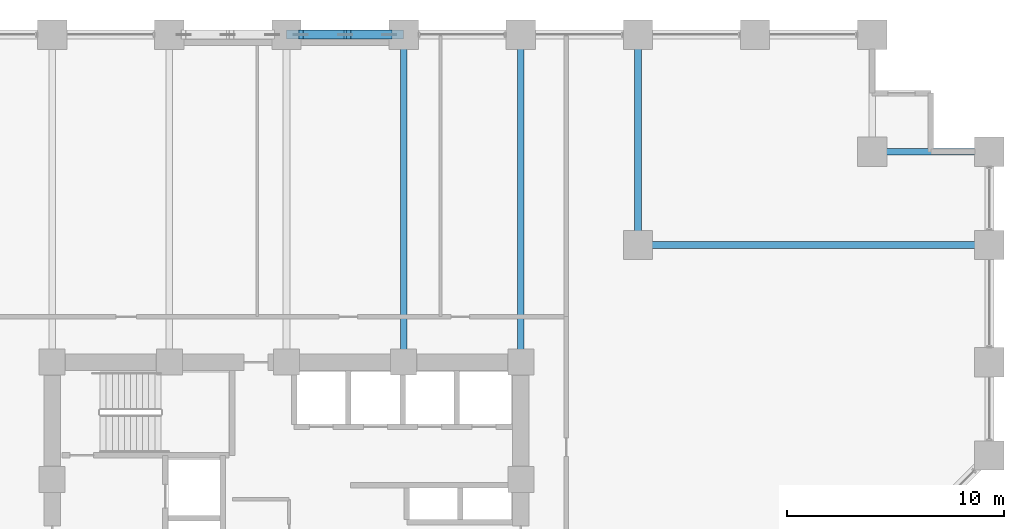
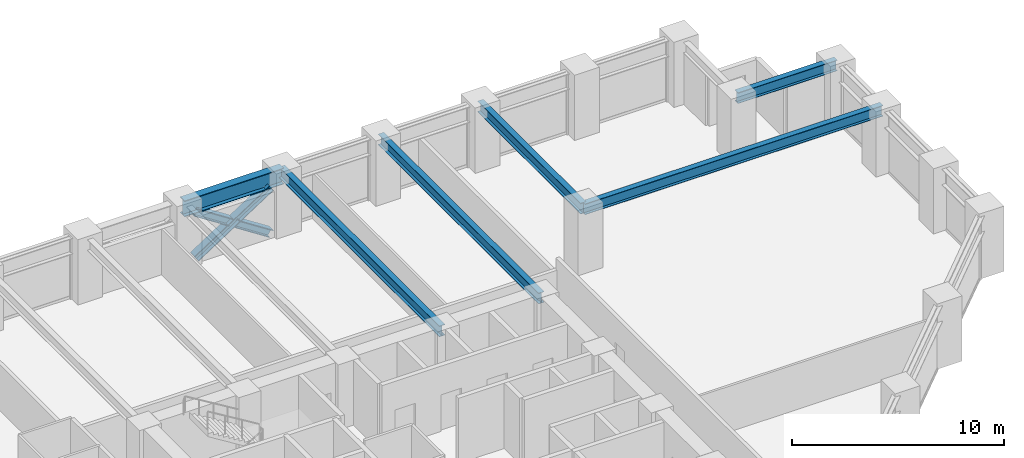
# One storey, part 14 of 25: 6 beams, 3 members.
"""IFC4 building model written with IfcOpenShell, lengths in metres."""

from ifc_helpers import new_model, si_unit, direction, frame, origin, origin_2d, place, context, subcontext, project, spatial, i_section, extrude, material, material_profile, profile_set, type_object, element, save


model = new_model("IFC4")

# Units and contexts
model_context = context("Model", 3, precision=1e-05, world=origin(), true_north=direction((0.0, 1.0)))
body_context = subcontext(model_context, "Body", "Model", "MODEL_VIEW")
ifc_project = project(units=[si_unit("LENGTHUNIT", "METRE"), si_unit("AREAUNIT", "SQUARE_METRE"), si_unit("VOLUMEUNIT", "CUBIC_METRE"), si_unit("PLANEANGLEUNIT", "RADIAN"), si_unit("MASSUNIT", "GRAM", prefix="KILO")], contexts=[model_context])

# Site, building, storey
site_placement = place(None, origin())
site = spatial("IfcSite", under=ifc_project, at=site_placement, CompositionType="ELEMENT")
building_placement = place(site_placement, origin())
building = spatial("IfcBuilding", under=site, at=building_placement, Name="Surkhivell Harbour Commons", CompositionType="ELEMENT")
storey_placement = place(building_placement, frame((0.0, 0.0, 33.75)))
storey = spatial("IfcBuildingStorey", under=building, at=storey_placement, Name="L08", CompositionType="ELEMENT", Elevation=33.75)

# Beams
ifc_material_1 = material(Name="Steel S355", Category="steel")
ifc_material_profile_1 = material_profile(ifc_material_1, i_section(OverallWidth=0.306884765625, OverallDepth=0.6201171875, WebThickness=0.01416015625, FlangeThickness=0.023681640625, at=origin_2d()), Name="UB610x305x179")
ifc_profile_set_1 = profile_set([ifc_material_profile_1], Name="Steel S355")
beam_type_1 = type_object("IfcBeamType", Name="BM-GRD-610A", PredefinedType="BEAM", material=ifc_profile_set_1)
for number, where, z_axis, x_axis, name in (
    (1, (5.39990234375, 10.800048828125, 3.260009765625), (0.0, 1.0, 0.0), (-1.0, 0.0, 0.0), "L08 Floor Girder (5.4,10.8)"),
    (2, (10.800048828125, 10.800048828125, 3.260009765625), (0.0, 1.0, 0.0), (-1.0, 0.0, 0.0), "L08 Floor Girder (10.8,10.8)"),
):
    element("IfcBeam", number, at=place(storey_placement, frame(where, z_axis=z_axis, x_axis=x_axis)), inside=storey, type_object=beam_type_1, Name=name, PredefinedType="BEAM", context=body_context, shape_type="SweptSolid", body=[
        extrude(i_section(OverallWidth=0.306884765625, OverallDepth=0.6201171875, WebThickness=0.01416015625, FlangeThickness=0.023681640625, at=origin_2d()), origin(), (0.0, 0.0, 1.0), 15.099853515625),
    ])
beam_1_placement = place(storey_placement, frame((16.199951171875, 16.199951171875, 3.260009765625), z_axis=(0.0, 1.0, 0.0), x_axis=(-1.0, 0.0, 0.0)))
element("IfcBeam", 3, at=beam_1_placement, inside=storey, type_object=beam_type_1, Name="L08 Floor Girder (16.2,16.2)", PredefinedType="BEAM", context=body_context, shape_type="SweptSolid", body=[
    extrude(i_section(OverallWidth=0.306884765625, OverallDepth=0.6201171875, WebThickness=0.01416015625, FlangeThickness=0.023681640625, at=origin_2d()), origin(), (0.0, 0.0, 1.0), 9.699951171875),
])
beam_2_placement = place(storey_placement, frame((16.199951171875, 16.199951171875, 3.260009765625), z_axis=(1.0, 0.0, 0.0), x_axis=(0.0, 1.0, 0.0)))
element("IfcBeam", 4, at=beam_2_placement, inside=storey, type_object=beam_type_1, Name="L08 Floor Girder (16.2,16.2)", PredefinedType="BEAM", context=body_context, shape_type="SweptSolid", body=[
    extrude(i_section(OverallWidth=0.306884765625, OverallDepth=0.6201171875, WebThickness=0.01416015625, FlangeThickness=0.023681640625, at=origin_2d()), origin(), (0.0, 0.0, 1.0), 16.199951171875),
])
beam_3_placement = place(storey_placement, frame((27.0, 20.5, 3.260009765625), z_axis=(1.0, 0.0, 0.0), x_axis=(0.0, 1.0, 0.0)))
element("IfcBeam", 5, at=beam_3_placement, inside=storey, type_object=beam_type_1, Name="L08 Floor Girder (27.0,20.5)", PredefinedType="BEAM", context=body_context, shape_type="SweptSolid", body=[
    extrude(i_section(OverallWidth=0.306884765625, OverallDepth=0.6201171875, WebThickness=0.01416015625, FlangeThickness=0.023681640625, at=origin_2d()), origin(), (0.0, 0.0, 1.0), 5.39990234375),
])
ifc_material_2 = material(Name="Steel S460", Category="steel")
ifc_material_profile_2 = material_profile(ifc_material_2, i_section(OverallWidth=0.419921875, OverallDepth=0.9208984375, WebThickness=0.021484375, FlangeThickness=0.03662109375, at=origin_2d()), Name="UB914x419x388")
ifc_profile_set_2 = profile_set([ifc_material_profile_2], Name="Steel S460")
beam_type_2 = type_object("IfcBeamType", Name="BM-SPN-914A", PredefinedType="SPANDREL", material=ifc_profile_set_2)
beam_4_placement = place(storey_placement, frame((0.0, 25.89990234375, 3.109619140625), z_axis=(1.0, 0.0, 0.0), x_axis=(0.0, 1.0, 0.0)))
element("IfcBeam", 6, at=beam_4_placement, inside=storey, type_object=beam_type_2, Name="L08 Tube Spandrel (-0.0,25.9)", PredefinedType="SPANDREL", context=body_context, shape_type="SweptSolid", body=[
    extrude(i_section(OverallWidth=0.419921875, OverallDepth=0.9208984375, WebThickness=0.021484375, FlangeThickness=0.03662109375, at=origin_2d()), origin(), (0.0, 0.0, 1.0), 5.39990234375),
])

# Members
ifc_material_profile_3 = material_profile(ifc_material_2, i_section(OverallWidth=0.406005859375, OverallDepth=0.416015625, WebThickness=0.026611328125, FlangeThickness=0.0390625, at=origin_2d()), Name="HD400x382")
ifc_profile_set_3 = profile_set([ifc_material_profile_3], Name="Steel S460")
member_type = type_object("IfcMemberType", Name="MEM-BRC-HD382", PredefinedType="BRACE", material=ifc_profile_set_3)
member_1_placement = place(storey_placement, frame((0.659912109375, 25.89990234375, 0.008056640625), z_axis=(0.83910375559, 0.0, 0.543971403067), x_axis=(0.0, 1.0, 0.0)))
element("IfcMember", 7, at=member_1_placement, inside=storey, type_object=member_type, Name="L08 Perimeter Mega-Brace MB- 04", PredefinedType="BRACE", context=body_context, shape_type="SweptSolid", body=[
    extrude(i_section(OverallWidth=0.406005859375, OverallDepth=0.416015625, WebThickness=0.026611328125, FlangeThickness=0.0390625, at=origin_2d()), origin(), (0.0, 0.0, 1.0), 4.8623046875),
])
member_2_placement = place(storey_placement, frame((4.739990234375, 25.89990234375, 0.008056640625), z_axis=(-0.83908547242, 0.0, 0.543999604756), x_axis=(0.0, -1.0, 0.0)))
element("IfcMember", 8, at=member_2_placement, inside=storey, type_object=member_type, Name="L08 Perimeter Mega-Brace MB- 05", PredefinedType="BRACE", context=body_context, shape_type="SweptSolid", body=[
    extrude(i_section(OverallWidth=0.406005859375, OverallDepth=0.416015625, WebThickness=0.026611328125, FlangeThickness=0.0390625, at=origin_2d()), origin(), (0.0, 0.0, 1.0), 2.2314453125),
])
member_3_placement = place(storey_placement, frame((2.532470703125, 25.89990234375, 1.439208984375), z_axis=(-0.839117847051, 0.0, 0.54394966565), x_axis=(0.0, -1.0, 0.0)))
element("IfcMember", 9, at=member_3_placement, inside=storey, type_object=member_type, Name="L08 Perimeter Mega-Brace MB- 06", PredefinedType="BRACE", context=body_context, shape_type="SweptSolid", body=[
    extrude(i_section(OverallWidth=0.406005859375, OverallDepth=0.416015625, WebThickness=0.026611328125, FlangeThickness=0.0390625, at=origin_2d()), origin(), (0.0, 0.0, 1.0), 2.231689453125),
])

save(model, "model.ifc")
